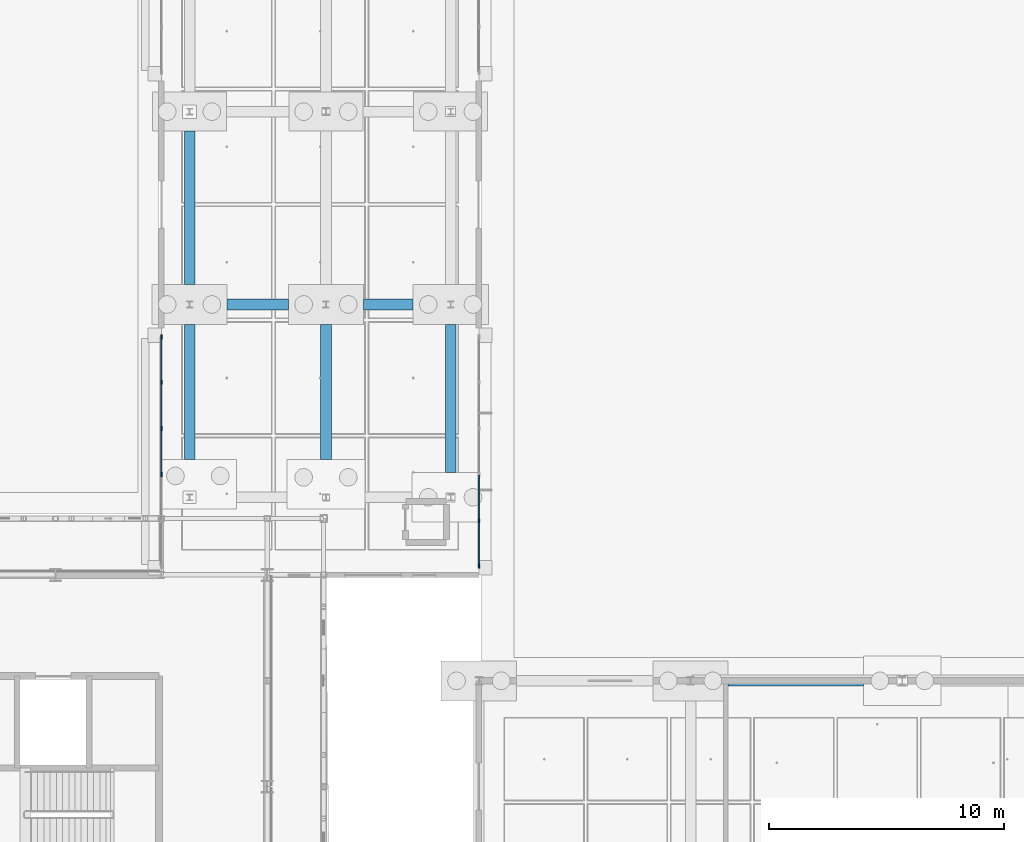
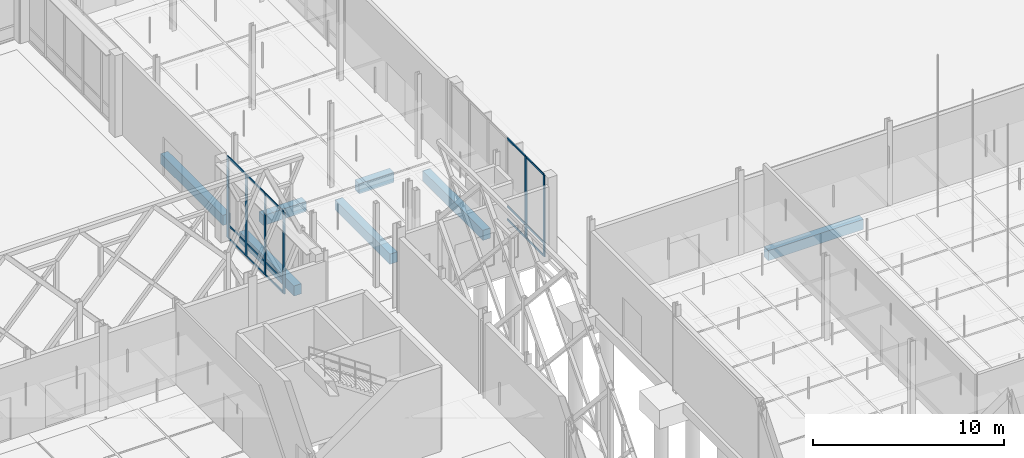
# One storey, part 47 of 180: 21 members, 7 beams, 2 elements without a shape of their own.
"""IFC4 building model written with IfcOpenShell, lengths in metres."""

from ifc_helpers import new_model, si_unit, direction, frame, origin, origin_2d, place, context, subcontext, project, spatial, rectangle, extrude, material, material_profile, profile_set, type_object, element, aggregate, save


model = new_model("IFC4")

# Units and contexts
model_context = context("Model", 3, precision=1e-05, world=origin(), true_north=direction((0.0, 1.0)))
body_context = subcontext(model_context, "Body", "Model", "MODEL_VIEW")
ifc_project = project(units=[si_unit("LENGTHUNIT", "METRE"), si_unit("AREAUNIT", "SQUARE_METRE"), si_unit("VOLUMEUNIT", "CUBIC_METRE"), si_unit("PLANEANGLEUNIT", "RADIAN"), si_unit("MASSUNIT", "GRAM", prefix="KILO"), si_unit("THERMODYNAMICTEMPERATUREUNIT", "KELVIN"), si_unit("POWERUNIT", "WATT")], contexts=[model_context])

# Site, building, storey
site_placement = place(None, origin())
site = spatial("IfcSite", under=ifc_project, at=site_placement, CompositionType="ELEMENT")
building_placement = place(site_placement, origin())
building = spatial("IfcBuilding", under=site, at=building_placement, Name="Tallowbark Science Centre", CompositionType="ELEMENT")
storey_placement = place(building_placement, origin())
storey = spatial("IfcBuildingStorey", under=building, at=storey_placement, Name="L00", CompositionType="ELEMENT", Elevation=0.0)

# Beams
ifc_material_1 = material(Name="Concrete Grade N40 (40 MPa)", Category="concrete")
ifc_material_profile_1 = material_profile(ifc_material_1, rectangle(XDim=0.449951171875, YDim=0.64990234375, at=origin_2d()), Name="RC450x650")
ifc_profile_set_1 = profile_set([ifc_material_profile_1], Name="Concrete Grade N40 (40 MPa)")
beam_type = type_object("IfcBeamType", Name="BM-GB2-N40", PredefinedType="BEAM", material=ifc_profile_set_1)
beam_1_placement = place(storey_placement, frame((123.10009765625, 36.0, -0.5849609375), z_axis=(1.0, 0.0, 0.0), x_axis=(0.0, 1.0, 0.0)))
element("IfcBeam", 1, at=beam_1_placement, inside=storey, type_object=beam_type, Name="Ground Tie Beam GBT-X-263", PredefinedType="BEAM", context=body_context, shape_type="SweptSolid", body=[
    extrude(rectangle(XDim=0.449951171875, YDim=0.64990234375, at=origin_2d()), origin(), (0.0, 0.0, 1.0), 5.75),
])
beam_2_placement = place(storey_placement, frame((101.800048828125, 52.0, -0.5849609375), z_axis=(1.0, 0.0, 0.0), x_axis=(0.0, 1.0, 0.0)))
element("IfcBeam", 2, at=beam_2_placement, inside=storey, type_object=beam_type, Name="Ground Tie Beam GBT-X-294", PredefinedType="BEAM", context=body_context, shape_type="SweptSolid", body=[
    extrude(rectangle(XDim=0.449951171875, YDim=0.64990234375, at=origin_2d()), origin(), (0.0, 0.0, 1.0), 2.599853515625),
])
beam_3_placement = place(storey_placement, frame((107.60009765625, 52.0, -0.5849609375), z_axis=(1.0, 0.0, 0.0), x_axis=(0.0, 1.0, 0.0)))
element("IfcBeam", 3, at=beam_3_placement, inside=storey, type_object=beam_type, Name="Ground Tie Beam GBT-X-295", PredefinedType="BEAM", context=body_context, shape_type="SweptSolid", body=[
    extrude(rectangle(XDim=0.449951171875, YDim=0.64990234375, at=origin_2d()), origin(), (0.0, 0.0, 1.0), 2.099853515625),
])
beam_4_placement = place(storey_placement, frame((100.199951171875, 45.39990234375, -0.5849609375), z_axis=(0.0, 1.0, 0.0), x_axis=(-1.0, 0.0, 0.0)))
element("IfcBeam", 4, at=beam_4_placement, inside=storey, type_object=beam_type, Name="Ground Tie Beam GBT-Y-347", PredefinedType="BEAM", context=body_context, shape_type="SweptSolid", body=[
    extrude(rectangle(XDim=0.449951171875, YDim=0.64990234375, at=origin_2d()), origin(), (0.0, 0.0, 1.0), 5.75),
])
beam_5_placement = place(storey_placement, frame((100.199951171875, 52.85009765625, -0.5849609375), z_axis=(0.0, 1.0, 0.0), x_axis=(-1.0, 0.0, 0.0)))
element("IfcBeam", 5, at=beam_5_placement, inside=storey, type_object=beam_type, Name="Ground Tie Beam GBT-Y-348", PredefinedType="BEAM", context=body_context, shape_type="SweptSolid", body=[
    extrude(rectangle(XDim=0.449951171875, YDim=0.64990234375, at=origin_2d()), origin(), (0.0, 0.0, 1.0), 6.52490234375),
])
beam_6_placement = place(storey_placement, frame((106.0, 45.39990234375, -0.5849609375), z_axis=(0.0, 1.0, 0.0), x_axis=(-1.0, 0.0, 0.0)))
element("IfcBeam", 6, at=beam_6_placement, inside=storey, type_object=beam_type, Name="Ground Tie Beam GBT-Y-350", PredefinedType="BEAM", context=body_context, shape_type="SweptSolid", body=[
    extrude(rectangle(XDim=0.449951171875, YDim=0.64990234375, at=origin_2d()), origin(), (0.0, 0.0, 1.0), 5.75),
])
beam_7_placement = place(storey_placement, frame((111.300048828125, 44.85009765625, -0.5849609375), z_axis=(0.0, 1.0, 0.0), x_axis=(-1.0, 0.0, 0.0)))
element("IfcBeam", 7, at=beam_7_placement, inside=storey, type_object=beam_type, Name="Ground Tie Beam GBT-Y-353", PredefinedType="BEAM", context=body_context, shape_type="SweptSolid", body=[
    extrude(rectangle(XDim=0.449951171875, YDim=0.64990234375, at=origin_2d()), origin(), (0.0, 0.0, 1.0), 6.2998046875),
])

# Curtain wall, members
ifc_material_2 = material(Name="Unitised Thermally Broken Aluminium and Low-E Double Glazing", Category="aluminium")
curtain_wall_type = type_object("IfcCurtainWallType", Name="CW-SYS-FACADE", PredefinedType="NOTDEFINED", material=ifc_material_2)
curtain_wall_1_placement = place(storey_placement, origin())
curtain_wall_1 = element("IfcCurtainWall", 8, at=curtain_wall_1_placement, inside=storey, type_object=curtain_wall_type, Name="Unitised Curtain Wall LNK-W-0 CW-L00-006", PredefinedType="NOTDEFINED")
ifc_material_3 = material(Name="Anodised Architectural Aluminium Alloy 6063-T6", Category="aluminium")
ifc_material_profile_2 = material_profile(ifc_material_3, rectangle(XDim=0.06494140625, YDim=0.179931640625, at=origin_2d()), Name="ALU65x180")
ifc_profile_set_2 = profile_set([ifc_material_profile_2], Name="Anodised Architectural Aluminium Alloy 6063-T6")
member_type_1 = type_object("IfcMemberType", Name="CWM-MUL-220", PredefinedType="MULLION", material=ifc_profile_set_2)
member_1_placement = place(storey_placement, frame((99.0, 50.617431640625, 0.0), z_axis=(0.0, 0.0, 1.0), x_axis=(1.0, 0.0, 0.0)))
member_1 = element("IfcMember", 9, at=member_1_placement, type_object=member_type_1, Name="CW-01 mullion 1", PredefinedType="MULLION", context=body_context, shape_type="SweptSolid", body=[
    extrude(rectangle(XDim=0.06494140625, YDim=0.179931640625, at=origin_2d()), origin(), (0.0, 0.0, 1.0), 5.219970703125),
])
member_2_placement = place(storey_placement, frame((99.0, 48.68994140625, 0.0), z_axis=(0.0, 0.0, 1.0), x_axis=(1.0, 0.0, 0.0)))
member_2 = element("IfcMember", 10, at=member_2_placement, type_object=member_type_1, Name="CW-01 mullion 2", PredefinedType="MULLION", context=body_context, shape_type="SweptSolid", body=[
    extrude(rectangle(XDim=0.06494140625, YDim=0.179931640625, at=origin_2d()), origin(), (0.0, 0.0, 1.0), 5.219970703125),
])
member_3_placement = place(storey_placement, frame((99.0, 46.72998046875, 0.0), z_axis=(0.0, 0.0, 1.0), x_axis=(1.0, 0.0, 0.0)))
member_3 = element("IfcMember", 11, at=member_3_placement, type_object=member_type_1, Name="CW-01 mullion 3", PredefinedType="MULLION", context=body_context, shape_type="SweptSolid", body=[
    extrude(rectangle(XDim=0.06494140625, YDim=0.179931640625, at=origin_2d()), origin(), (0.0, 0.0, 1.0), 5.219970703125),
])
member_4_placement = place(storey_placement, frame((99.0, 44.77001953125, 0.0), z_axis=(0.0, 0.0, 1.0), x_axis=(1.0, 0.0, 0.0)))
member_4 = element("IfcMember", 12, at=member_4_placement, type_object=member_type_1, Name="CW-01 mullion 4", PredefinedType="MULLION", context=body_context, shape_type="SweptSolid", body=[
    extrude(rectangle(XDim=0.06494140625, YDim=0.179931640625, at=origin_2d()), origin(), (0.0, 0.0, 1.0), 5.219970703125),
])

curtain_wall_2_placement = place(storey_placement, origin())
curtain_wall_2 = element("IfcCurtainWall", 13, at=curtain_wall_2_placement, inside=storey, type_object=curtain_wall_type, Name="Unitised Curtain Wall LNK-E-0 CW-L00-007", PredefinedType="NOTDEFINED")
member_5_placement = place(storey_placement, frame((112.5, 40.882568359375, 0.0), z_axis=(0.0, 0.0, 1.0), x_axis=(-1.0, 0.0, 0.0)))
member_5 = element("IfcMember", 14, at=member_5_placement, type_object=member_type_1, Name="CW-01 mullion 1", PredefinedType="MULLION", context=body_context, shape_type="SweptSolid", body=[
    extrude(rectangle(XDim=0.06494140625, YDim=0.179931640625, at=origin_2d()), origin(), (0.0, 0.0, 1.0), 5.219970703125),
])
member_6_placement = place(storey_placement, frame((112.5, 42.81005859375, 0.0), z_axis=(0.0, 0.0, 1.0), x_axis=(-1.0, 0.0, 0.0)))
member_6 = element("IfcMember", 15, at=member_6_placement, type_object=member_type_1, Name="CW-01 mullion 2", PredefinedType="MULLION", context=body_context, shape_type="SweptSolid", body=[
    extrude(rectangle(XDim=0.06494140625, YDim=0.179931640625, at=origin_2d()), origin(), (0.0, 0.0, 1.0), 5.219970703125),
])

# Member
ifc_material_profile_3 = material_profile(ifc_material_3, rectangle(XDim=0.054931640625, YDim=0.1201171875, at=origin_2d()), Name="ALU55x120")
ifc_profile_set_3 = profile_set([ifc_material_profile_3], Name="Anodised Architectural Aluminium Alloy 6063-T6")
member_type_2 = type_object("IfcMemberType", Name="CWM-TRN-150", PredefinedType="USERDEFINED", material=ifc_profile_set_3)
member_7_placement = place(storey_placement, frame((99.0, 50.5849609375, 0.027587890625), z_axis=(0.0, -1.0, 0.0), x_axis=(1.0, 0.0, 0.0)))
member_7 = element("IfcMember", 16, at=member_7_placement, type_object=member_type_2, Name="CW-01 transom 1.1", ObjectType="TRANSOM", PredefinedType="USERDEFINED", context=body_context, shape_type="SweptSolid", body=[
    extrude(rectangle(XDim=0.054931640625, YDim=0.1201171875, at=origin_2d()), origin(), (0.0, 0.0, 1.0), 1.862548828125),
])

member_8_placement = place(storey_placement, frame((99.0, 50.5849609375, 0.85009765625), z_axis=(0.0, -1.0, 0.0), x_axis=(1.0, 0.0, 0.0)))
member_8 = element("IfcMember", 17, at=member_8_placement, type_object=member_type_2, Name="CW-01 transom 1.2", ObjectType="TRANSOM", PredefinedType="USERDEFINED", context=body_context, shape_type="SweptSolid", body=[
    extrude(rectangle(XDim=0.054931640625, YDim=0.1201171875, at=origin_2d()), origin(), (0.0, 0.0, 1.0), 1.862548828125),
])

member_9_placement = place(storey_placement, frame((99.0, 50.5849609375, 5.1923828125), z_axis=(0.0, -1.0, 0.0), x_axis=(1.0, 0.0, 0.0)))
member_9 = element("IfcMember", 18, at=member_9_placement, type_object=member_type_2, Name="CW-01 transom 1.3", ObjectType="TRANSOM", PredefinedType="USERDEFINED", context=body_context, shape_type="SweptSolid", body=[
    extrude(rectangle(XDim=0.054931640625, YDim=0.1201171875, at=origin_2d()), origin(), (0.0, 0.0, 1.0), 1.862548828125),
])

member_10_placement = place(storey_placement, frame((99.0, 48.657470703125, 0.027587890625), z_axis=(0.0, -1.0, 0.0), x_axis=(1.0, 0.0, 0.0)))
member_10 = element("IfcMember", 19, at=member_10_placement, type_object=member_type_2, Name="CW-01 transom 2.1", ObjectType="TRANSOM", PredefinedType="USERDEFINED", context=body_context, shape_type="SweptSolid", body=[
    extrude(rectangle(XDim=0.054931640625, YDim=0.1201171875, at=origin_2d()), origin(), (0.0, 0.0, 1.0), 1.89501953125),
])

member_11_placement = place(storey_placement, frame((99.0, 48.657470703125, 0.85009765625), z_axis=(0.0, -1.0, 0.0), x_axis=(1.0, 0.0, 0.0)))
member_11 = element("IfcMember", 20, at=member_11_placement, type_object=member_type_2, Name="CW-01 transom 2.2", ObjectType="TRANSOM", PredefinedType="USERDEFINED", context=body_context, shape_type="SweptSolid", body=[
    extrude(rectangle(XDim=0.054931640625, YDim=0.1201171875, at=origin_2d()), origin(), (0.0, 0.0, 1.0), 1.89501953125),
])

member_12_placement = place(storey_placement, frame((99.0, 48.657470703125, 5.1923828125), z_axis=(0.0, -1.0, 0.0), x_axis=(1.0, 0.0, 0.0)))
member_12 = element("IfcMember", 21, at=member_12_placement, type_object=member_type_2, Name="CW-01 transom 2.3", ObjectType="TRANSOM", PredefinedType="USERDEFINED", context=body_context, shape_type="SweptSolid", body=[
    extrude(rectangle(XDim=0.054931640625, YDim=0.1201171875, at=origin_2d()), origin(), (0.0, 0.0, 1.0), 1.89501953125),
])

member_13_placement = place(storey_placement, frame((99.0, 46.697509765625, 0.027587890625), z_axis=(0.0, -1.0, 0.0), x_axis=(1.0, 0.0, 0.0)))
member_13 = element("IfcMember", 22, at=member_13_placement, type_object=member_type_2, Name="CW-01 transom 3.1", ObjectType="TRANSOM", PredefinedType="USERDEFINED", context=body_context, shape_type="SweptSolid", body=[
    extrude(rectangle(XDim=0.054931640625, YDim=0.1201171875, at=origin_2d()), origin(), (0.0, 0.0, 1.0), 1.89501953125),
])

member_14_placement = place(storey_placement, frame((99.0, 46.697509765625, 0.85009765625), z_axis=(0.0, -1.0, 0.0), x_axis=(1.0, 0.0, 0.0)))
member_14 = element("IfcMember", 23, at=member_14_placement, type_object=member_type_2, Name="CW-01 transom 3.2", ObjectType="TRANSOM", PredefinedType="USERDEFINED", context=body_context, shape_type="SweptSolid", body=[
    extrude(rectangle(XDim=0.054931640625, YDim=0.1201171875, at=origin_2d()), origin(), (0.0, 0.0, 1.0), 1.89501953125),
])

member_15_placement = place(storey_placement, frame((99.0, 46.697509765625, 5.1923828125), z_axis=(0.0, -1.0, 0.0), x_axis=(1.0, 0.0, 0.0)))
member_15 = element("IfcMember", 24, at=member_15_placement, type_object=member_type_2, Name="CW-01 transom 3.3", ObjectType="TRANSOM", PredefinedType="USERDEFINED", context=body_context, shape_type="SweptSolid", body=[
    extrude(rectangle(XDim=0.054931640625, YDim=0.1201171875, at=origin_2d()), origin(), (0.0, 0.0, 1.0), 1.89501953125),
])

aggregate(curtain_wall_1, [member_1, member_2, member_3, member_4, member_7, member_8, member_9, member_10, member_11, member_12, member_13, member_14, member_15])

member_16_placement = place(storey_placement, frame((112.5, 40.9150390625, 0.027587890625), z_axis=(0.0, 1.0, 0.0), x_axis=(-1.0, 0.0, 0.0)))
member_16 = element("IfcMember", 25, at=member_16_placement, type_object=member_type_2, Name="CW-01 transom 1.1", ObjectType="TRANSOM", PredefinedType="USERDEFINED", context=body_context, shape_type="SweptSolid", body=[
    extrude(rectangle(XDim=0.054931640625, YDim=0.1201171875, at=origin_2d()), origin(), (0.0, 0.0, 1.0), 1.862548828125),
])

member_17_placement = place(storey_placement, frame((112.5, 40.9150390625, 0.85009765625), z_axis=(0.0, 1.0, 0.0), x_axis=(-1.0, 0.0, 0.0)))
member_17 = element("IfcMember", 26, at=member_17_placement, type_object=member_type_2, Name="CW-01 transom 1.2", ObjectType="TRANSOM", PredefinedType="USERDEFINED", context=body_context, shape_type="SweptSolid", body=[
    extrude(rectangle(XDim=0.054931640625, YDim=0.1201171875, at=origin_2d()), origin(), (0.0, 0.0, 1.0), 1.862548828125),
])

member_18_placement = place(storey_placement, frame((112.5, 40.9150390625, 5.1923828125), z_axis=(0.0, 1.0, 0.0), x_axis=(-1.0, 0.0, 0.0)))
member_18 = element("IfcMember", 27, at=member_18_placement, type_object=member_type_2, Name="CW-01 transom 1.3", ObjectType="TRANSOM", PredefinedType="USERDEFINED", context=body_context, shape_type="SweptSolid", body=[
    extrude(rectangle(XDim=0.054931640625, YDim=0.1201171875, at=origin_2d()), origin(), (0.0, 0.0, 1.0), 1.862548828125),
])

member_19_placement = place(storey_placement, frame((112.5, 42.842529296875, 0.027587890625), z_axis=(0.0, 1.0, 0.0), x_axis=(-1.0, 0.0, 0.0)))
member_19 = element("IfcMember", 28, at=member_19_placement, type_object=member_type_2, Name="CW-01 transom 2.1", ObjectType="TRANSOM", PredefinedType="USERDEFINED", context=body_context, shape_type="SweptSolid", body=[
    extrude(rectangle(XDim=0.054931640625, YDim=0.1201171875, at=origin_2d()), origin(), (0.0, 0.0, 1.0), 1.89501953125),
])

member_20_placement = place(storey_placement, frame((112.5, 42.842529296875, 0.85009765625), z_axis=(0.0, 1.0, 0.0), x_axis=(-1.0, 0.0, 0.0)))
member_20 = element("IfcMember", 29, at=member_20_placement, type_object=member_type_2, Name="CW-01 transom 2.2", ObjectType="TRANSOM", PredefinedType="USERDEFINED", context=body_context, shape_type="SweptSolid", body=[
    extrude(rectangle(XDim=0.054931640625, YDim=0.1201171875, at=origin_2d()), origin(), (0.0, 0.0, 1.0), 1.89501953125),
])

member_21_placement = place(storey_placement, frame((112.5, 42.842529296875, 5.1923828125), z_axis=(0.0, 1.0, 0.0), x_axis=(-1.0, 0.0, 0.0)))
member_21 = element("IfcMember", 30, at=member_21_placement, type_object=member_type_2, Name="CW-01 transom 2.3", ObjectType="TRANSOM", PredefinedType="USERDEFINED", context=body_context, shape_type="SweptSolid", body=[
    extrude(rectangle(XDim=0.054931640625, YDim=0.1201171875, at=origin_2d()), origin(), (0.0, 0.0, 1.0), 1.89501953125),
])

aggregate(curtain_wall_2, [member_5, member_6, member_16, member_17, member_18, member_19, member_20, member_21])

save(model, "model.ifc")
